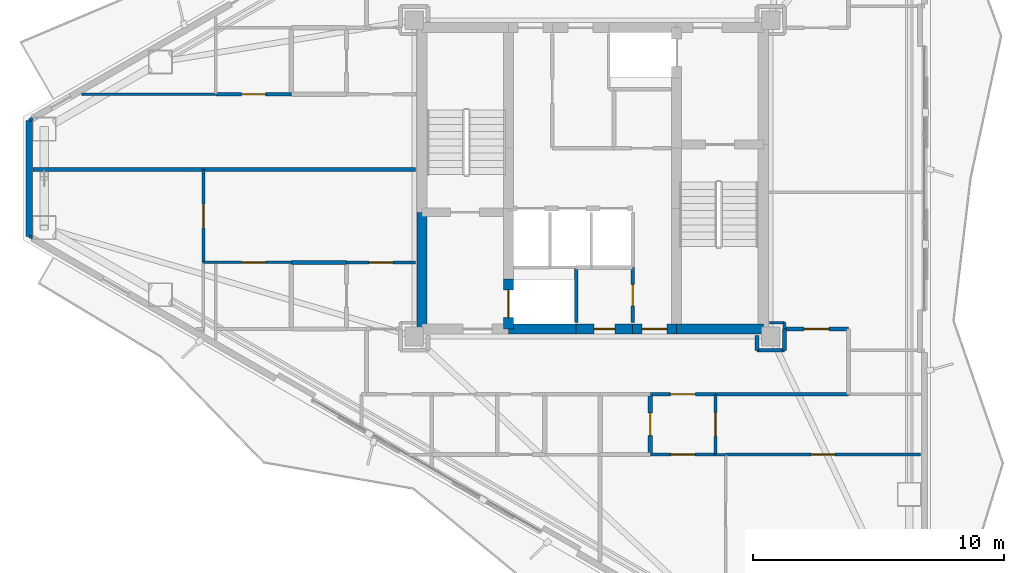
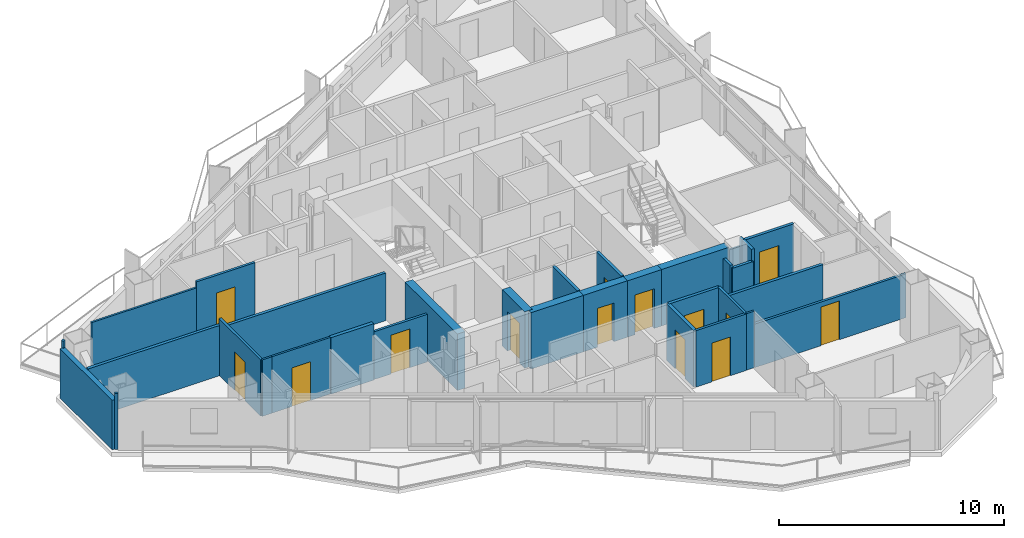
# One storey, part 13 of 19: 33 walls, 14 doors, 14 openings.
"""IFC4 building model written with IfcOpenShell, lengths in metres."""

from ifc_helpers import new_model, si_unit, direction, frame, frame_2d, origin, place, context, subcontext, project, spatial, rectangle, extrude, material, layer, layer_set, type_object, element, fill, save


model = new_model("IFC4")

# Units and contexts
model_context = context("Model", 3, precision=1e-05, world=origin(), true_north=direction((0.0, 1.0)))
body_context = subcontext(model_context, "Body", "Model", "MODEL_VIEW")
ifc_project = project(units=[si_unit("LENGTHUNIT", "METRE"), si_unit("AREAUNIT", "SQUARE_METRE"), si_unit("VOLUMEUNIT", "CUBIC_METRE"), si_unit("PLANEANGLEUNIT", "RADIAN"), si_unit("MASSUNIT", "GRAM", prefix="KILO")], contexts=[model_context])

# Site, building, storey
site_placement = place(None, origin())
site = spatial("IfcSite", under=ifc_project, at=site_placement, CompositionType="ELEMENT")
building_placement = place(site_placement, origin())
building = spatial("IfcBuilding", under=site, at=building_placement, Name="Mersakhor Tower and Convention Hall", CompositionType="ELEMENT")
storey_placement = place(building_placement, frame((0.0, 0.0, 147.60009765625)))
storey = spatial("IfcBuildingStorey", under=building, at=storey_placement, Name="L41", CompositionType="ELEMENT", Elevation=147.60009765625)

# Wall
ifc_material_1 = material(Name="Precast concrete C40/50", Category="concrete")
ifc_layer_1 = layer(ifc_material_1, 0.25)
ifc_layer_set_1 = layer_set([ifc_layer_1], Name="Precast concrete C40/50")
wall_type_1 = type_object("IfcWallType", Name="WL-EXT-250", PredefinedType="SOLIDWALL", material=ifc_layer_set_1)
wall_1_placement = place(storey_placement, frame((6.560302734375, 24.44140625, 0.0), z_axis=(0.0, 0.0, 1.0), x_axis=(0.0, 1.0, 0.0)))
element("IfcWall", 1, at=wall_1_placement, inside=storey, type_object=wall_type_1, Name="L41 Chamfer Braced Spandrel Wall C3", PredefinedType="SOLIDWALL", context=body_context, shape_type="SweptSolid", body=[
    extrude(rectangle(XDim=4.6171875, YDim=0.25, at=frame_2d((2.30859375, 0.0))), origin(), (0.0, 0.0, 1.0), 2.679931640625),
])

# Wall, opening, door
ifc_material_2 = material(Name="Moisture-resistant acoustic drywall studwork", Category="other")
ifc_layer_2 = layer(ifc_material_2, 0.175048828125)
ifc_layer_set_2 = layer_set([ifc_layer_2], Name="Moisture-resistant acoustic drywall studwork")
wall_type_2 = type_object("IfcWallType", Name="WL-PLM-175", PredefinedType="PLUMBINGWALL", material=ifc_layer_set_2)
wall_2_placement = place(storey_placement, frame((31.300048828125, 15.75, 0.0), z_axis=(0.0, 0.0, 1.0), x_axis=(0.0, 1.0, 0.0)))
wall_2 = element("IfcWall", 2, at=wall_2_placement, inside=storey, type_object=wall_type_2, Name="L41 Interior Partition Wall P-056", PredefinedType="PLUMBINGWALL", context=body_context, shape_type="SweptSolid", body=[
    extrude(rectangle(XDim=2.39990234375, YDim=0.175048828125, at=frame_2d((1.199951171875, 0.0))), origin(), (0.0, 0.0, 1.0), 3.059814453125),
])
opening_1_placement = place(wall_2_placement, frame((0.75, 0.0, 0.0)))
opening_1 = element("IfcOpeningElement", 3, at=opening_1_placement, cuts=wall_2, Name="Opening WD-01", PredefinedType="OPENING", context=body_context, shape_type="SweptSolid", body=[
    extrude(rectangle(XDim=0.89990234375, YDim=2.10009765625, at=frame_2d((0.449951171875, 1.050048828125))), frame((0.0, 0.097412109375, 0.0), z_axis=(0.0, -1.0, 0.0), x_axis=(1.0, 0.0, 0.0)), (0.0, 0.0, 1.0), 0.195068359375),
])
ifc_material_3 = material(Name="Solid-core hardwood leaf in painted steel frame", Category="steel")
door_type_1 = type_object("IfcDoorType", Name="DR-INT-WET-090x210", OperationType="NOTDEFINED", PredefinedType="DOOR", material=ifc_material_3)
door_1_placement = place(opening_1_placement, origin())
door_1 = element("IfcDoor", 4, at=door_1_placement, inside=storey, type_object=door_type_1, Name="L41 L41 Flat S4 Apartment Hall to L41 Flat S4 Bathroom Door", OperationType="SINGLE_SWING_RIGHT", OverallHeight=2.10009765625, OverallWidth=0.89990234375, PredefinedType="DOOR", context=body_context, shape_type="SweptSolid", body=[
    extrude(rectangle(XDim=0.89990234375, YDim=2.10009765625, at=frame_2d((0.449951171875, 1.050048828125))), frame((0.0, 0.02490234375, 0.0), z_axis=(0.0, -1.0, 0.0), x_axis=(1.0, 0.0, 0.0)), (0.0, 0.0, 1.0), 0.050048828125),
])
fill(opening_1, door_1)

# Walls
wall_3_placement = place(storey_placement, frame((17.0, 23.39990234375, 0.0), z_axis=(0.0, 0.0, 1.0), x_axis=(1.0, 0.0, 0.0)))
element("IfcWall", 5, at=wall_3_placement, inside=storey, type_object=wall_type_2, Name="L41 Interior Partition Wall P-091", PredefinedType="PLUMBINGWALL", context=body_context, shape_type="SweptSolid", body=[
    extrude(rectangle(XDim=2.199951171875, YDim=0.175048828125, at=frame_2d((1.10009765625, 0.0))), origin(), (0.0, 0.0, 1.0), 3.059814453125),
])
ifc_material_4 = material(Name="Lightweight gypsum partition", Category="other")
ifc_layer_3 = layer(ifc_material_4, 0.10009765625)
ifc_layer_set_3 = layer_set([ifc_layer_3], Name="Lightweight gypsum partition")
wall_type_3 = type_object("IfcWallType", Name="WL-PRT-100", PredefinedType="PARTITIONING", material=ifc_layer_set_3)
wall_4_placement = place(storey_placement, frame((34.300048828125, 15.75, 0.0), z_axis=(0.0, 0.0, 1.0), x_axis=(-1.0, 0.0, 0.0)))
element("IfcWall", 6, at=wall_4_placement, inside=storey, type_object=wall_type_3, Name="L41 Interior Partition Wall P-084", PredefinedType="PARTITIONING", context=body_context, shape_type="SweptSolid", body=[
    extrude(rectangle(XDim=0.400146484375, YDim=0.10009765625, at=frame_2d((0.2001953125, 0.0))), origin(), (0.0, 0.0, 1.0), 3.059814453125),
])

# Wall, opening, door
wall_5_placement = place(storey_placement, frame((14.0, 23.39990234375, 0.0), z_axis=(0.0, 0.0, 1.0), x_axis=(1.0, 0.0, 0.0)))
wall_5 = element("IfcWall", 7, at=wall_5_placement, inside=storey, type_object=wall_type_3, Name="L41 Interior Partition Wall P-094", PredefinedType="PARTITIONING", context=body_context, shape_type="SweptSolid", body=[
    extrude(rectangle(XDim=3.0, YDim=0.10009765625, at=frame_2d((1.5, 0.0))), origin(), (0.0, 0.0, 1.0), 3.059814453125),
])
opening_2_placement = place(wall_5_placement, frame((1.02490234375, 0.0, 0.0)))
opening_2 = element("IfcOpeningElement", 8, at=opening_2_placement, cuts=wall_5, Name="Opening RD-01", PredefinedType="OPENING", context=body_context, shape_type="SweptSolid", body=[
    extrude(rectangle(XDim=0.949951171875, YDim=2.10009765625, at=frame_2d((0.47509765625, 1.050048828125))), frame((0.0, 0.06005859375, 0.0), z_axis=(0.0, -1.0, 0.0), x_axis=(1.0, 0.0, 0.0)), (0.0, 0.0, 1.0), 0.1201171875),
])
ifc_material_5 = material(Name="Solid-core hardwood leaf in painted steel frame", Category="steel")
door_type_2 = type_object("IfcDoorType", Name="DR-INT-RM-095x210", OperationType="NOTDEFINED", PredefinedType="DOOR", material=ifc_material_5)
door_2_placement = place(opening_2_placement, origin())
door_2 = element("IfcDoor", 9, at=door_2_placement, inside=storey, type_object=door_type_2, Name="L41 L41 Flat W6 Kitchen to L41 Flat W6 Living and Dining Room Door", OperationType="SINGLE_SWING_LEFT", OverallHeight=2.10009765625, OverallWidth=0.949951171875, PredefinedType="DOOR", context=body_context, shape_type="SweptSolid", body=[
    extrude(rectangle(XDim=0.949951171875, YDim=2.10009765625, at=frame_2d((0.47509765625, 1.050048828125))), frame((0.0, 0.02490234375, 0.0), z_axis=(0.0, -1.0, 0.0), x_axis=(1.0, 0.0, 0.0)), (0.0, 0.0, 1.0), 0.050048828125),
])
fill(opening_2, door_2)

# Walls
wall_6_placement = place(storey_placement, frame((36.64990234375, 21.0, 0.0), z_axis=(0.0, 0.0, 1.0), x_axis=(-1.0, 0.0, 0.0)))
element("IfcWall", 10, at=wall_6_placement, inside=storey, type_object=wall_type_3, Name="L41 Interior Partition Wall P-104", PredefinedType="PARTITIONING", context=body_context, shape_type="SweptSolid", body=[
    extrude(rectangle(XDim=0.599853515625, YDim=0.10009765625, at=frame_2d((0.2998046875, 0.0))), origin(), (0.0, 0.0, 1.0), 2.5849609375),
])
wall_7_placement = place(storey_placement, frame((8.634765625, 30.10009765625, 0.0), z_axis=(0.0, 0.0, 1.0), x_axis=(1.0, 0.0, 0.0)))
element("IfcWall", 11, at=wall_7_placement, inside=storey, type_object=wall_type_3, Name="L41 Interior Partition Wall P-130", PredefinedType="PARTITIONING", context=body_context, shape_type="SweptSolid", body=[
    extrude(rectangle(XDim=5.365234375, YDim=0.10009765625, at=frame_2d((2.6826171875, 0.0))), origin(), (0.0, 0.0, 1.0), 2.724365234375),
])
wall_8_placement = place(storey_placement, frame((14.0, 23.39990234375, 0.0), z_axis=(0.0, 0.0, 1.0), x_axis=(-1.0, 0.0, 0.0)))
element("IfcWall", 12, at=wall_8_placement, inside=storey, type_object=wall_type_3, Name="L41 Interior Partition Wall P-134", PredefinedType="PARTITIONING", context=body_context, shape_type="SweptSolid", body=[
    extrude(rectangle(XDim=0.5, YDim=0.10009765625, at=frame_2d((0.25, 0.0))), origin(), (0.0, 0.0, 1.0), 3.059814453125),
])
wall_9_placement = place(storey_placement, frame((6.68994140625, 24.365966796875, 0.0), z_axis=(0.0, 0.0, 1.0), x_axis=(-0.866131372301, 0.499816412211, 0.0)))
element("IfcWall", 13, at=wall_9_placement, inside=storey, type_object=wall_type_3, Name="L41 Interior Partition Wall P-138", PredefinedType="PARTITIONING", context=body_context, shape_type="SweptSolid", body=[
    extrude(rectangle(XDim=0.14990234375, YDim=0.10009765625, at=frame_2d((0.074951171875, 0.0))), origin(), (0.0, 0.0, 1.0), 3.059814453125),
])

# Wall, opening, door
ifc_material_6 = material(Name="Gypsum board acoustic partition", Category="other")
ifc_layer_4 = layer(ifc_material_6, 0.125)
ifc_layer_set_4 = layer_set([ifc_layer_4], Name="Gypsum board acoustic partition")
wall_type_4 = type_object("IfcWallType", Name="WL-PRT-125", PredefinedType="PARTITIONING", material=ifc_layer_set_4)
wall_10_placement = place(storey_placement, frame((33.89990234375, 15.75, 0.0), z_axis=(0.0, 0.0, 1.0), x_axis=(-1.0, 0.0, 0.0)))
wall_10 = element("IfcWall", 14, at=wall_10_placement, inside=storey, type_object=wall_type_4, Name="L41 Interior Partition Wall P-055", PredefinedType="PARTITIONING", context=body_context, shape_type="SweptSolid", body=[
    extrude(rectangle(XDim=2.599853515625, YDim=0.125, at=frame_2d((1.2998046875, 0.0))), origin(), (0.0, 0.0, 1.0), 3.059814453125),
])
opening_3_placement = place(wall_10_placement, frame((0.824951171875, 0.0, 0.0)))
opening_3 = element("IfcOpeningElement", 15, at=opening_3_placement, cuts=wall_10, Name="Opening RD-01", PredefinedType="OPENING", context=body_context, shape_type="SweptSolid", body=[
    extrude(rectangle(XDim=0.949951171875, YDim=2.10009765625, at=frame_2d((0.47509765625, 1.050048828125))), frame((0.0, 0.072509765625, 0.0), z_axis=(0.0, -1.0, 0.0), x_axis=(1.0, 0.0, 0.0)), (0.0, 0.0, 1.0), 0.14501953125),
])
door_3_placement = place(opening_3_placement, origin())
door_3 = element("IfcDoor", 16, at=door_3_placement, inside=storey, type_object=door_type_2, Name="L41 L41 Flat S4 Apartment Hall to L41 Flat S4 Living and Dining Room Door", OperationType="SINGLE_SWING_RIGHT", OverallHeight=2.10009765625, OverallWidth=0.949951171875, PredefinedType="DOOR", context=body_context, shape_type="SweptSolid", body=[
    extrude(rectangle(XDim=0.949951171875, YDim=2.10009765625, at=frame_2d((0.47509765625, 1.050048828125))), frame((0.0, 0.02490234375, 0.0), z_axis=(0.0, -1.0, 0.0), x_axis=(1.0, 0.0, 0.0)), (0.0, 0.0, 1.0), 0.050048828125),
])
fill(opening_3, door_3)

wall_11_placement = place(storey_placement, frame((33.89990234375, 18.14990234375, 0.0), z_axis=(0.0, 0.0, 1.0), x_axis=(0.0, -1.0, 0.0)))
wall_11 = element("IfcWall", 17, at=wall_11_placement, inside=storey, type_object=wall_type_4, Name="L41 Interior Partition Wall P-057", PredefinedType="PARTITIONING", context=body_context, shape_type="SweptSolid", body=[
    extrude(rectangle(XDim=2.39990234375, YDim=0.125, at=frame_2d((1.199951171875, 0.0))), origin(), (0.0, 0.0, 1.0), 3.059814453125),
])
opening_4_placement = place(wall_11_placement, frame((0.72509765625, 0.0, 0.0)))
opening_4 = element("IfcOpeningElement", 18, at=opening_4_placement, cuts=wall_11, Name="Opening RD-01", PredefinedType="OPENING", context=body_context, shape_type="SweptSolid", body=[
    extrude(rectangle(XDim=0.949951171875, YDim=2.10009765625, at=frame_2d((0.47509765625, 1.050048828125))), frame((0.0, 0.072509765625, 0.0), z_axis=(0.0, -1.0, 0.0), x_axis=(1.0, 0.0, 0.0)), (0.0, 0.0, 1.0), 0.14501953125),
])
door_4_placement = place(opening_4_placement, origin())
door_4 = element("IfcDoor", 19, at=door_4_placement, inside=storey, type_object=door_type_2, Name="L41 L41 Flat S4 Apartment Hall to L41 Flat S4 Kitchen Door", OperationType="SINGLE_SWING_LEFT", OverallHeight=2.10009765625, OverallWidth=0.949951171875, PredefinedType="DOOR", context=body_context, shape_type="SweptSolid", body=[
    extrude(rectangle(XDim=0.949951171875, YDim=2.10009765625, at=frame_2d((0.47509765625, 1.050048828125))), frame((0.0, 0.02490234375, 0.0), z_axis=(0.0, -1.0, 0.0), x_axis=(1.0, 0.0, 0.0)), (0.0, 0.0, 1.0), 0.050048828125),
])
fill(opening_4, door_4)

wall_12_placement = place(storey_placement, frame((19.199951171875, 23.39990234375, 0.0), z_axis=(0.0, 0.0, 1.0), x_axis=(1.0, 0.0, 0.0)))
wall_12 = element("IfcWall", 20, at=wall_12_placement, inside=storey, type_object=wall_type_4, Name="L41 Interior Partition Wall P-065", PredefinedType="PARTITIONING", context=body_context, shape_type="SweptSolid", body=[
    extrude(rectangle(XDim=2.75, YDim=0.125, at=frame_2d((1.375, 0.0))), origin(), (0.0, 0.0, 1.0), 2.5849609375),
])
opening_5_placement = place(wall_12_placement, frame((0.89990234375, 0.0, 0.0)))
opening_5 = element("IfcOpeningElement", 21, at=opening_5_placement, cuts=wall_12, Name="Opening RD-01", PredefinedType="OPENING", context=body_context, shape_type="SweptSolid", body=[
    extrude(rectangle(XDim=0.949951171875, YDim=2.10009765625, at=frame_2d((0.47509765625, 1.050048828125))), frame((0.0, 0.072509765625, 0.0), z_axis=(0.0, -1.0, 0.0), x_axis=(1.0, 0.0, 0.0)), (0.0, 0.0, 1.0), 0.14501953125),
])
door_5_placement = place(opening_5_placement, origin())
door_5 = element("IfcDoor", 22, at=door_5_placement, inside=storey, type_object=door_type_2, Name="L41 L41 Flat W6 Apartment Hall to L41 Flat W6 Living and Dining Room Door", OperationType="SINGLE_SWING_RIGHT", OverallHeight=2.10009765625, OverallWidth=0.949951171875, PredefinedType="DOOR", context=body_context, shape_type="SweptSolid", body=[
    extrude(rectangle(XDim=0.949951171875, YDim=2.10009765625, at=frame_2d((0.47509765625, 1.050048828125))), frame((0.0, 0.02490234375, 0.0), z_axis=(0.0, -1.0, 0.0), x_axis=(1.0, 0.0, 0.0)), (0.0, 0.0, 1.0), 0.050048828125),
])
fill(opening_5, door_5)

wall_13_placement = place(storey_placement, frame((42.0703125, 15.75, 0.0), z_axis=(0.0, 0.0, 1.0), x_axis=(-1.0, 0.0, 0.0)))
wall_13 = element("IfcWall", 23, at=wall_13_placement, inside=storey, type_object=wall_type_4, Name="L41 Interior Partition Wall P-083", PredefinedType="PARTITIONING", context=body_context, shape_type="SweptSolid", body=[
    extrude(rectangle(XDim=7.770263671875, YDim=0.125, at=frame_2d((3.88525390625, 0.0))), origin(), (0.0, 0.0, 1.0), 2.364990234375),
])
opening_6_placement = place(wall_13_placement, frame((3.41015625, 0.0, 0.0)))
opening_6 = element("IfcOpeningElement", 24, at=opening_6_placement, cuts=wall_13, Name="Opening RD-01", PredefinedType="OPENING", context=body_context, shape_type="SweptSolid", body=[
    extrude(rectangle(XDim=0.949951171875, YDim=2.10009765625, at=frame_2d((0.47509765625, 1.050048828125))), frame((0.0, 0.072509765625, 0.0), z_axis=(0.0, -1.0, 0.0), x_axis=(1.0, 0.0, 0.0)), (0.0, 0.0, 1.0), 0.14501953125),
])
door_6_placement = place(opening_6_placement, origin())
door_6 = element("IfcDoor", 25, at=door_6_placement, inside=storey, type_object=door_type_2, Name="L41 L41 Flat S4 Kitchen to L41 Flat S4 Dining Room Door", OperationType="SINGLE_SWING_LEFT", OverallHeight=2.10009765625, OverallWidth=0.949951171875, PredefinedType="DOOR", context=body_context, shape_type="SweptSolid", body=[
    extrude(rectangle(XDim=0.949951171875, YDim=2.10009765625, at=frame_2d((0.47509765625, 1.050048828125))), frame((0.0, 0.02490234375, 0.0), z_axis=(0.0, -1.0, 0.0), x_axis=(1.0, 0.0, 0.0)), (0.0, 0.0, 1.0), 0.050048828125),
])
fill(opening_6, door_6)

wall_14_placement = place(storey_placement, frame((17.0, 30.10009765625, 0.0), z_axis=(0.0, 0.0, 1.0), x_axis=(-1.0, 0.0, 0.0)))
wall_14 = element("IfcWall", 26, at=wall_14_placement, inside=storey, type_object=wall_type_4, Name="L41 Interior Partition Wall P-089", PredefinedType="PARTITIONING", context=body_context, shape_type="SweptSolid", body=[
    extrude(rectangle(XDim=3.0, YDim=0.125, at=frame_2d((1.5, 0.0))), origin(), (0.0, 0.0, 1.0), 3.059814453125),
])
opening_7_placement = place(wall_14_placement, frame((1.02490234375, 0.0, 0.0)))
opening_7 = element("IfcOpeningElement", 27, at=opening_7_placement, cuts=wall_14, Name="Opening RD-01", PredefinedType="OPENING", context=body_context, shape_type="SweptSolid", body=[
    extrude(rectangle(XDim=0.949951171875, YDim=2.10009765625, at=frame_2d((0.47509765625, 1.050048828125))), frame((0.0, 0.072509765625, 0.0), z_axis=(0.0, -1.0, 0.0), x_axis=(1.0, 0.0, 0.0)), (0.0, 0.0, 1.0), 0.14501953125),
])
door_7_placement = place(opening_7_placement, origin())
door_7 = element("IfcDoor", 28, at=door_7_placement, inside=storey, type_object=door_type_2, Name="L41 L41 Flat W5 Kitchen to L41 Flat W5 Studio Living and Sleeping Room Door", OperationType="SINGLE_SWING_RIGHT", OverallHeight=2.10009765625, OverallWidth=0.949951171875, PredefinedType="DOOR", context=body_context, shape_type="SweptSolid", body=[
    extrude(rectangle(XDim=0.949951171875, YDim=2.10009765625, at=frame_2d((0.47509765625, 1.050048828125))), frame((0.0, 0.02490234375, 0.0), z_axis=(0.0, -1.0, 0.0), x_axis=(1.0, 0.0, 0.0)), (0.0, 0.0, 1.0), 0.050048828125),
])
fill(opening_7, door_7)

# Walls
wall_15_placement = place(storey_placement, frame((36.64990234375, 20.75, 0.0), z_axis=(0.0, 0.0, 1.0), x_axis=(0.0, 1.0, 0.0)))
element("IfcWall", 29, at=wall_15_placement, inside=storey, type_object=wall_type_4, Name="L41 Interior Partition Wall P-103", PredefinedType="PARTITIONING", context=body_context, shape_type="SweptSolid", body=[
    extrude(rectangle(XDim=0.25, YDim=0.125, at=frame_2d((0.125, 0.0))), origin(), (0.0, 0.0, 1.0), 3.059814453125),
])
wall_16_placement = place(storey_placement, frame((6.56005859375, 29.05908203125, 0.0), z_axis=(0.0, 0.0, 1.0), x_axis=(0.866131372301, 0.499816412211, 0.0)))
element("IfcWall", 30, at=wall_16_placement, inside=storey, type_object=wall_type_4, Name="L41 Interior Partition Wall P-133", PredefinedType="PARTITIONING", context=body_context, shape_type="SweptSolid", body=[
    extrude(rectangle(XDim=0.14990234375, YDim=0.125, at=frame_2d((0.074951171875, 0.0))), origin(), (0.0, 0.0, 1.0), 3.059814453125),
])

# Wall, opening, door
wall_17_placement = place(storey_placement, frame((13.5, 23.39990234375, 0.0), z_axis=(0.0, 0.0, 1.0), x_axis=(0.0, 1.0, 0.0)))
wall_17 = element("IfcWall", 31, at=wall_17_placement, inside=storey, type_object=wall_type_4, Name="L41 Interior Partition Wall P-135", PredefinedType="PARTITIONING", context=body_context, shape_type="SweptSolid", body=[
    extrude(rectangle(XDim=3.7001953125, YDim=0.125, at=frame_2d((1.85009765625, 0.0))), origin(), (0.0, 0.0, 1.0), 3.059814453125),
])
opening_8_placement = place(wall_17_placement, frame((1.375, 0.0, 0.0)))
opening_8 = element("IfcOpeningElement", 32, at=opening_8_placement, cuts=wall_17, Name="Opening RD-01", PredefinedType="OPENING", context=body_context, shape_type="SweptSolid", body=[
    extrude(rectangle(XDim=0.949951171875, YDim=2.10009765625, at=frame_2d((0.47509765625, 1.050048828125))), frame((0.0, 0.072509765625, 0.0), z_axis=(0.0, -1.0, 0.0), x_axis=(1.0, 0.0, 0.0)), (0.0, 0.0, 1.0), 0.14501953125),
])
door_8_placement = place(opening_8_placement, origin())
door_8 = element("IfcDoor", 33, at=door_8_placement, inside=storey, type_object=door_type_2, Name="L41 L41 Flat W6 Living and Dining Room to L41 Flat W6 Bedroom 1 Door", OperationType="SINGLE_SWING_LEFT", OverallHeight=2.10009765625, OverallWidth=0.949951171875, PredefinedType="DOOR", context=body_context, shape_type="SweptSolid", body=[
    extrude(rectangle(XDim=0.949951171875, YDim=2.10009765625, at=frame_2d((0.47509765625, 1.050048828125))), frame((0.0, 0.02490234375, 0.0), z_axis=(0.0, -1.0, 0.0), x_axis=(1.0, 0.0, 0.0)), (0.0, 0.0, 1.0), 0.050048828125),
])
fill(opening_8, door_8)

# Wall
ifc_material_7 = material(Name="Fire-rated gypsum board stud partition", Category="other")
ifc_layer_5 = layer(ifc_material_7, 0.14990234375)
ifc_layer_set_5 = layer_set([ifc_layer_5], Name="Fire-rated gypsum board stud partition")
wall_type_5 = type_object("IfcWallType", Name="WL-PRT-150", PredefinedType="PARTITIONING", material=ifc_layer_set_5)
wall_18_placement = place(storey_placement, frame((28.35009765625, 23.199951171875, 0.0), z_axis=(0.0, 0.0, 1.0), x_axis=(0.0, -1.0, 0.0)))
element("IfcWall", 34, at=wall_18_placement, inside=storey, type_object=wall_type_5, Name="L41 Interior Partition Wall P-003", PredefinedType="PARTITIONING", context=body_context, shape_type="SweptSolid", body=[
    extrude(rectangle(XDim=2.199951171875, YDim=0.14990234375, at=frame_2d((1.10009765625, 0.0))), origin(), (0.0, 0.0, 1.0), 3.059814453125),
])

# Wall, opening, door
wall_19_placement = place(storey_placement, frame((30.60009765625, 21.0, 0.0), z_axis=(0.0, 0.0, 1.0), x_axis=(0.0, 1.0, 0.0)))
wall_19 = element("IfcWall", 35, at=wall_19_placement, inside=storey, type_object=wall_type_5, Name="L41 Interior Partition Wall P-012", PredefinedType="PARTITIONING", context=body_context, shape_type="SweptSolid", body=[
    extrude(rectangle(XDim=2.199951171875, YDim=0.14990234375, at=frame_2d((1.10009765625, 0.0))), origin(), (0.0, 0.0, 1.0), 3.059814453125),
])
opening_9_placement = place(wall_19_placement, frame((0.675048828125, 0.0, 0.0)))
opening_9 = element("IfcOpeningElement", 36, at=opening_9_placement, cuts=wall_19, Name="Opening SVD-01", PredefinedType="OPENING", context=body_context, shape_type="SweptSolid", body=[
    extrude(rectangle(XDim=0.85009765625, YDim=2.10009765625, at=frame_2d((0.425048828125, 1.050048828125))), frame((0.0, 0.0849609375, 0.0), z_axis=(0.0, -1.0, 0.0), x_axis=(1.0, 0.0, 0.0)), (0.0, 0.0, 1.0), 0.169921875),
])
ifc_material_8 = material(Name="Fire-rated hardwood leaf and painted steel frame", Category="steel")
door_type_3 = type_object("IfcDoorType", Name="DR-INT-SVC-085x210", OperationType="NOTDEFINED", PredefinedType="DOOR", material=ifc_material_8)
door_9_placement = place(opening_9_placement, origin())
door_9 = element("IfcDoor", 37, at=door_9_placement, inside=storey, type_object=door_type_3, Name="L41 Central Passenger Lift Lobby to Electrical Switchroom Door", OperationType="SINGLE_SWING_RIGHT", OverallHeight=2.10009765625, OverallWidth=0.85009765625, PredefinedType="DOOR", context=body_context, shape_type="SweptSolid", body=[
    extrude(rectangle(XDim=0.85009765625, YDim=2.10009765625, at=frame_2d((0.425048828125, 1.050048828125))), frame((0.0, 0.02490234375, 0.0), z_axis=(0.0, -1.0, 0.0), x_axis=(1.0, 0.0, 0.0)), (0.0, 0.0, 1.0), 0.050048828125),
])
fill(opening_9, door_9)

# Walls
wall_20_placement = place(storey_placement, frame((35.550048828125, 20.5, 0.0), z_axis=(0.0, 0.0, 1.0), x_axis=(0.0, -1.0, 0.0)))
element("IfcWall", 38, at=wall_20_placement, inside=storey, type_object=wall_type_5, Name="L41 Interior Partition Wall P-035", PredefinedType="PARTITIONING", context=body_context, shape_type="SweptSolid", body=[
    extrude(rectangle(XDim=0.60009765625, YDim=0.14990234375, at=frame_2d((0.300048828125, 0.0))), origin(), (0.0, 0.0, 1.0), 2.5849609375),
])
wall_21_placement = place(storey_placement, frame((35.550048828125, 19.89990234375, 0.0), z_axis=(0.0, 0.0, 1.0), x_axis=(1.0, 0.0, 0.0)))
element("IfcWall", 39, at=wall_21_placement, inside=storey, type_object=wall_type_5, Name="L41 Interior Partition Wall P-036", PredefinedType="PARTITIONING", context=body_context, shape_type="SweptSolid", body=[
    extrude(rectangle(XDim=1.099853515625, YDim=0.14990234375, at=frame_2d((0.5498046875, 0.0))), origin(), (0.0, 0.0, 1.0), 2.4326171875),
])
wall_22_placement = place(storey_placement, frame((36.64990234375, 19.89990234375, 0.0), z_axis=(0.0, 0.0, 1.0), x_axis=(0.0, 1.0, 0.0)))
element("IfcWall", 40, at=wall_22_placement, inside=storey, type_object=wall_type_5, Name="L41 Interior Partition Wall P-037", PredefinedType="PARTITIONING", context=body_context, shape_type="SweptSolid", body=[
    extrude(rectangle(XDim=0.85009765625, YDim=0.14990234375, at=frame_2d((0.425048828125, 0.0))), origin(), (0.0, 0.0, 1.0), 3.059814453125),
])

# Wall, opening, door
wall_23_placement = place(storey_placement, frame((36.64990234375, 20.75, 0.0), z_axis=(0.0, 0.0, 1.0), x_axis=(1.0, 0.0, 0.0)))
wall_23 = element("IfcWall", 41, at=wall_23_placement, inside=storey, type_object=wall_type_5, Name="L41 Interior Partition Wall P-038", PredefinedType="PARTITIONING", context=body_context, shape_type="SweptSolid", body=[
    extrude(rectangle(XDim=2.550048828125, YDim=0.14990234375, at=frame_2d((1.27490234375, 0.0))), origin(), (0.0, 0.0, 1.0), 3.059814453125),
])
opening_10_placement = place(wall_23_placement, frame((0.77490234375, 0.0, 0.0)))
opening_10 = element("IfcOpeningElement", 42, at=opening_10_placement, cuts=wall_23, Name="Opening FD-01", PredefinedType="OPENING", context=body_context, shape_type="SweptSolid", body=[
    extrude(rectangle(XDim=1.0, YDim=2.14990234375, at=frame_2d((0.5, 1.074951171875))), frame((0.0, 0.0849609375, 0.0), z_axis=(0.0, -1.0, 0.0), x_axis=(1.0, 0.0, 0.0)), (0.0, 0.0, 1.0), 0.169921875),
])
ifc_material_9 = material(Name="Fire-rated hardwood leaf and painted steel frame", Category="steel")
door_type_4 = type_object("IfcDoorType", Name="DR-INT-FLT-100x215", OperationType="NOTDEFINED", PredefinedType="DOOR", material=ifc_material_9)
door_10_placement = place(opening_10_placement, origin())
door_10 = element("IfcDoor", 43, at=door_10_placement, inside=storey, type_object=door_type_4, Name="L41 Residential South Gallery Corridor to L41 East Wing Shared Tea Pantry Door", OperationType="SINGLE_SWING_RIGHT", OverallHeight=2.14990234375, OverallWidth=1.0, PredefinedType="DOOR", context=body_context, shape_type="SweptSolid", body=[
    extrude(rectangle(XDim=1.0, YDim=2.14990234375, at=frame_2d((0.5, 1.074951171875))), frame((0.0, 0.02490234375, 0.0), z_axis=(0.0, -1.0, 0.0), x_axis=(1.0, 0.0, 0.0)), (0.0, 0.0, 1.0), 0.050048828125),
])
fill(opening_10, door_10)

# Wall
wall_24_placement = place(storey_placement, frame((39.199951171875, 18.14990234375, 0.0), z_axis=(0.0, 0.0, 1.0), x_axis=(-1.0, 0.0, 0.0)))
element("IfcWall", 44, at=wall_24_placement, inside=storey, type_object=wall_type_5, Name="L41 Interior Partition Wall P-041", PredefinedType="PARTITIONING", context=body_context, shape_type="SweptSolid", body=[
    extrude(rectangle(XDim=5.300048828125, YDim=0.14990234375, at=frame_2d((2.64990234375, 0.0))), origin(), (0.0, 0.0, 1.0), 2.4326171875),
])

# Wall, opening, door
wall_25_placement = place(storey_placement, frame((33.89990234375, 18.14990234375, 0.0), z_axis=(0.0, 0.0, 1.0), x_axis=(-1.0, 0.0, 0.0)))
wall_25 = element("IfcWall", 45, at=wall_25_placement, inside=storey, type_object=wall_type_5, Name="L41 Interior Partition Wall P-042", PredefinedType="PARTITIONING", context=body_context, shape_type="SweptSolid", body=[
    extrude(rectangle(XDim=2.599853515625, YDim=0.14990234375, at=frame_2d((1.2998046875, 0.0))), origin(), (0.0, 0.0, 1.0), 3.059814453125),
])
opening_11_placement = place(wall_25_placement, frame((0.800048828125, 0.0, 0.0)))
opening_11 = element("IfcOpeningElement", 46, at=opening_11_placement, cuts=wall_25, Name="Opening FD-01", PredefinedType="OPENING", context=body_context, shape_type="SweptSolid", body=[
    extrude(rectangle(XDim=1.0, YDim=2.14990234375, at=frame_2d((0.5, 1.074951171875))), frame((0.0, 0.0849609375, 0.0), z_axis=(0.0, -1.0, 0.0), x_axis=(1.0, 0.0, 0.0)), (0.0, 0.0, 1.0), 0.169921875),
])
door_11_placement = place(opening_11_placement, origin())
door_11 = element("IfcDoor", 47, at=door_11_placement, inside=storey, type_object=door_type_4, Name="L41 Apartment Entrance Door (Residential South Gallery Corridor to L41 Flat S4 Apartment Hall)", OperationType="SINGLE_SWING_RIGHT", OverallHeight=2.14990234375, OverallWidth=1.0, PredefinedType="DOOR", context=body_context, shape_type="SweptSolid", body=[
    extrude(rectangle(XDim=1.0, YDim=2.14990234375, at=frame_2d((0.5, 1.074951171875))), frame((0.0, 0.02490234375, 0.0), z_axis=(0.0, -1.0, 0.0), x_axis=(1.0, 0.0, 0.0)), (0.0, 0.0, 1.0), 0.050048828125),
])
fill(opening_11, door_11)

# Walls
wall_26_placement = place(storey_placement, frame((21.949951171875, 27.10009765625, 0.0), z_axis=(0.0, 0.0, 1.0), x_axis=(-1.0, 0.0, 0.0)))
element("IfcWall", 48, at=wall_26_placement, inside=storey, type_object=wall_type_5, Name="L41 Interior Partition Wall P-131", PredefinedType="PARTITIONING", context=body_context, shape_type="SweptSolid", body=[
    extrude(rectangle(XDim=8.449951171875, YDim=0.14990234375, at=frame_2d((4.22509765625, 0.0))), origin(), (0.0, 0.0, 1.0), 2.5849609375),
])
wall_27_placement = place(storey_placement, frame((13.5, 27.10009765625, 0.0), z_axis=(0.0, 0.0, 1.0), x_axis=(-1.0, 0.0, 0.0)))
element("IfcWall", 49, at=wall_27_placement, inside=storey, type_object=wall_type_5, Name="L41 Interior Partition Wall P-132", PredefinedType="PARTITIONING", context=body_context, shape_type="SweptSolid", body=[
    extrude(rectangle(XDim=6.790771484375, YDim=0.14990234375, at=frame_2d((3.3955078125, 0.0))), origin(), (0.0, 0.0, 1.0), 2.724365234375),
])
ifc_material_10 = material(Name="Concrete C60/75", Category="concrete")
ifc_layer_6 = layer(ifc_material_10, 0.39990234375)
ifc_layer_set_6 = layer_set([ifc_layer_6], Name="Concrete C60/75")
wall_type_6 = type_object("IfcWallType", Name="WL-SHR-400", PredefinedType="SHEAR", material=ifc_layer_set_6)
wall_28_placement = place(storey_placement, frame((22.199951171875, 20.75, 0.0), z_axis=(0.0, 0.0, 1.0), x_axis=(0.0, 1.0, 0.0)))
element("IfcWall", 50, at=wall_28_placement, inside=storey, type_object=wall_type_6, Name="L41 Core Wall CW-W1", PredefinedType="SHEAR", context=body_context, shape_type="SweptSolid", body=[
    extrude(rectangle(XDim=4.64990234375, YDim=0.39990234375, at=frame_2d((2.324951171875, 0.0))), origin(), (0.0, 0.0, 1.0), 3.059814453125),
])
wall_29_placement = place(storey_placement, frame((35.800048828125, 20.75, 0.0), z_axis=(0.0, 0.0, 1.0), x_axis=(-1.0, 0.0, 0.0)))
element("IfcWall", 51, at=wall_29_placement, inside=storey, type_object=wall_type_6, Name="L41 Core Wall CW-S1", PredefinedType="SHEAR", context=body_context, shape_type="SweptSolid", body=[
    extrude(rectangle(XDim=3.449951171875, YDim=0.39990234375, at=frame_2d((1.72509765625, 0.0))), origin(), (0.0, 0.0, 1.0), 3.059814453125),
])

# Wall, opening, door
wall_30_placement = place(storey_placement, frame((32.35009765625, 20.75, 0.0), z_axis=(0.0, 0.0, 1.0), x_axis=(-1.0, 0.0, 0.0)))
wall_30 = element("IfcWall", 52, at=wall_30_placement, inside=storey, type_object=wall_type_6, Name="L41 Core Wall CW-S2A", PredefinedType="SHEAR", context=body_context, shape_type="SweptSolid", body=[
    extrude(rectangle(XDim=1.75, YDim=0.39990234375, at=frame_2d((0.875, 0.0))), origin(), (0.0, 0.0, 1.0), 3.059814453125),
])
opening_12_placement = place(wall_30_placement, frame((0.375, 0.0, 0.0)))
opening_12 = element("IfcOpeningElement", 53, at=opening_12_placement, cuts=wall_30, Name="Opening CFD-01", PredefinedType="OPENING", context=body_context, shape_type="SweptSolid", body=[
    extrude(rectangle(XDim=1.0, YDim=2.14990234375, at=frame_2d((0.5, 1.074951171875))), frame((0.0, 0.2099609375, 0.0), z_axis=(0.0, -1.0, 0.0), x_axis=(1.0, 0.0, 0.0)), (0.0, 0.0, 1.0), 0.419921875),
])
ifc_material_11 = material(Name="Fire-rated hardwood leaf and painted steel frame", Category="steel")
door_type_5 = type_object("IfcDoorType", Name="DR-CORE-FD-100x215", OperationType="NOTDEFINED", PredefinedType="DOOR", material=ifc_material_11)
door_12_placement = place(opening_12_placement, origin())
door_12 = element("IfcDoor", 54, at=door_12_placement, inside=storey, type_object=door_type_5, Name="L41 Lift Lobby South Corridor Door", OperationType="SINGLE_SWING_RIGHT", OverallHeight=2.14990234375, OverallWidth=1.0, PredefinedType="DOOR", context=body_context, shape_type="SweptSolid", body=[
    extrude(rectangle(XDim=1.0, YDim=2.14990234375, at=frame_2d((0.5, 1.074951171875))), frame((0.0, 0.02490234375, 0.0), z_axis=(0.0, -1.0, 0.0), x_axis=(1.0, 0.0, 0.0)), (0.0, 0.0, 1.0), 0.050048828125),
])
fill(opening_12, door_12)

wall_31_placement = place(storey_placement, frame((30.60009765625, 20.75, 0.0), z_axis=(0.0, 0.0, 1.0), x_axis=(-1.0, 0.0, 0.0)))
wall_31 = element("IfcWall", 55, at=wall_31_placement, inside=storey, type_object=wall_type_6, Name="L41 Core Wall CW-S2B", PredefinedType="SHEAR", context=body_context, shape_type="SweptSolid", body=[
    extrude(rectangle(XDim=2.25, YDim=0.39990234375, at=frame_2d((1.125, 0.0))), origin(), (0.0, 0.0, 1.0), 3.059814453125),
])
opening_13_placement = place(wall_31_placement, frame((0.699951171875, 0.0, 0.0)))
opening_13 = element("IfcOpeningElement", 56, at=opening_13_placement, cuts=wall_31, Name="Opening SVD-01", PredefinedType="OPENING", context=body_context, shape_type="SweptSolid", body=[
    extrude(rectangle(XDim=0.85009765625, YDim=2.10009765625, at=frame_2d((0.425048828125, 1.050048828125))), frame((0.0, 0.2099609375, 0.0), z_axis=(0.0, -1.0, 0.0), x_axis=(1.0, 0.0, 0.0)), (0.0, 0.0, 1.0), 0.419921875),
])
door_13_placement = place(opening_13_placement, origin())
door_13 = element("IfcDoor", 57, at=door_13_placement, inside=storey, type_object=door_type_3, Name="L41 Residential South Gallery Corridor to Electrical Switchroom Door", OperationType="SINGLE_SWING_LEFT", OverallHeight=2.10009765625, OverallWidth=0.85009765625, PredefinedType="DOOR", context=body_context, shape_type="SweptSolid", body=[
    extrude(rectangle(XDim=0.85009765625, YDim=2.10009765625, at=frame_2d((0.425048828125, 1.050048828125))), frame((0.0, 0.02490234375, 0.0), z_axis=(0.0, -1.0, 0.0), x_axis=(1.0, 0.0, 0.0)), (0.0, 0.0, 1.0), 0.050048828125),
])
fill(opening_13, door_13)

# Wall
wall_32_placement = place(storey_placement, frame((28.35009765625, 20.75, 0.0), z_axis=(0.0, 0.0, 1.0), x_axis=(-1.0, 0.0, 0.0)))
element("IfcWall", 58, at=wall_32_placement, inside=storey, type_object=wall_type_6, Name="L41 Core Wall CW-S3", PredefinedType="SHEAR", context=body_context, shape_type="SweptSolid", body=[
    extrude(rectangle(XDim=2.7001953125, YDim=0.39990234375, at=frame_2d((1.35009765625, 0.0))), origin(), (0.0, 0.0, 1.0), 3.059814453125),
])

# Wall, opening, door
wall_33_placement = place(storey_placement, frame((25.64990234375, 20.75, 0.0), z_axis=(0.0, 0.0, 1.0), x_axis=(0.0, 1.0, 0.0)))
wall_33 = element("IfcWall", 59, at=wall_33_placement, inside=storey, type_object=wall_type_6, Name="L41 Core Wall CS-W-FFL", PredefinedType="SHEAR", context=body_context, shape_type="SweptSolid", body=[
    extrude(rectangle(XDim=2.0, YDim=0.39990234375, at=frame_2d((1.0, 0.0))), origin(), (0.0, 0.0, 1.0), 3.059814453125),
])
opening_14_placement = place(wall_33_placement, frame((0.449951171875, 0.0, 0.0)))
opening_14 = element("IfcOpeningElement", 60, at=opening_14_placement, cuts=wall_33, Name="Opening LD-FFL1", PredefinedType="OPENING", context=body_context, shape_type="SweptSolid", body=[
    extrude(rectangle(XDim=1.10009765625, YDim=2.14990234375, at=frame_2d((0.550048828125, 1.074951171875))), frame((0.0, 0.2099609375, 0.0), z_axis=(0.0, -1.0, 0.0), x_axis=(1.0, 0.0, 0.0)), (0.0, 0.0, 1.0), 0.419921875),
])
ifc_material_12 = material(Name="Fire-rated brushed stainless steel sliding landing door", Category="steel")
door_type_6 = type_object("IfcDoorType", Name="DR-LIFT-SLD-110x215", OperationType="NOTDEFINED", PredefinedType="DOOR", material=ifc_material_12)
door_14_placement = place(opening_14_placement, origin())
door_14 = element("IfcDoor", 61, at=door_14_placement, inside=storey, type_object=door_type_6, Name="L41 Firefighting Lift Landing Door LD-FFL1", OperationType="SLIDING_TO_LEFT", OverallHeight=2.14990234375, OverallWidth=1.10009765625, PredefinedType="DOOR", context=body_context, shape_type="SweptSolid", body=[
    extrude(rectangle(XDim=1.10009765625, YDim=2.14990234375, at=frame_2d((0.550048828125, 1.074951171875))), frame((0.0, 0.02490234375, 0.0), z_axis=(0.0, -1.0, 0.0), x_axis=(1.0, 0.0, 0.0)), (0.0, 0.0, 1.0), 0.050048828125),
])
fill(opening_14, door_14)

save(model, "model.ifc")
